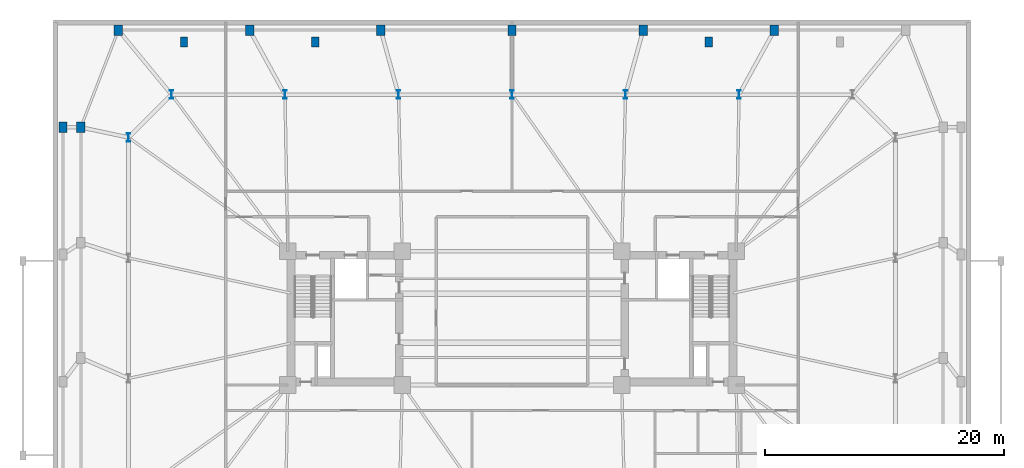
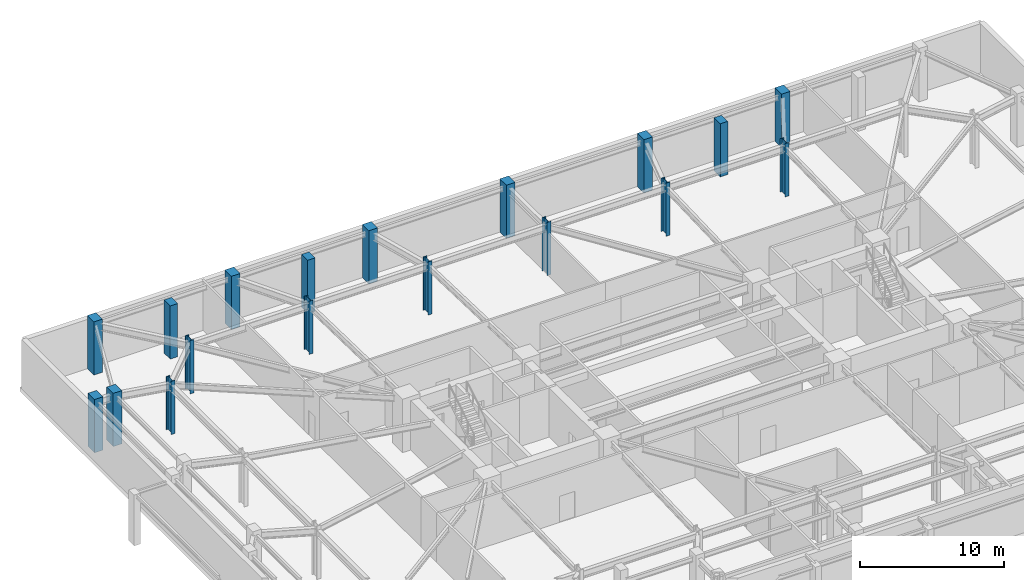
# One storey, part 3 of 14: 18 columns.
"""IFC4 building model written with IfcOpenShell, lengths in metres."""

from ifc_helpers import new_model, si_unit, direction, frame, origin, origin_2d, place, context, subcontext, project, spatial, rectangle, i_section, extrude, material, material_profile, profile_set, type_object, element, save


model = new_model("IFC4")

# Units and contexts
model_context = context("Model", 3, precision=1e-05, world=origin(), true_north=direction((0.0, 1.0)))
body_context = subcontext(model_context, "Body", "Model", "MODEL_VIEW")
ifc_project = project(units=[si_unit("LENGTHUNIT", "METRE"), si_unit("AREAUNIT", "SQUARE_METRE"), si_unit("VOLUMEUNIT", "CUBIC_METRE"), si_unit("PLANEANGLEUNIT", "RADIAN"), si_unit("MASSUNIT", "GRAM", prefix="KILO")], contexts=[model_context])

# Site, building, storey
site_placement = place(None, origin())
site = spatial("IfcSite", under=ifc_project, at=site_placement, CompositionType="ELEMENT")
building_placement = place(site_placement, origin())
building = spatial("IfcBuilding", under=site, at=building_placement, Name="Qobustan Lattice House", CompositionType="ELEMENT")
storey_placement = place(building_placement, frame((0.0, 0.0, -4.5)))
storey = spatial("IfcBuildingStorey", under=building, at=storey_placement, Name="B01", CompositionType="ELEMENT", Elevation=-4.5)

# Columns
ifc_material_1 = material(Name="Concrete C50/60", Category="concrete")
ifc_material_profile_1 = material_profile(ifc_material_1, rectangle(XDim=0.60009765625, YDim=0.85009765625, at=origin_2d()), Name="RC600x850")
ifc_profile_set_1 = profile_set([ifc_material_profile_1], Name="Concrete C50/60")
column_type_1 = type_object("IfcColumnType", Name="COL-PIL-600x850", PredefinedType="PILASTER", material=ifc_profile_set_1)
for number, where, z_axis, x_axis, name in (
    (1, (-27.5, 23.14990234375, 0.0), (0.0, 0.0, 1.0), (1.0, 0.0, 0.0), "B01 colonnade pilaster N1"),
    (2, (-16.5, 23.14990234375, 0.0), (0.0, 0.0, 1.0), (1.0, 0.0, 0.0), "B01 colonnade pilaster N2"),
    (3, (16.5, 23.14990234375, 0.0), (0.0, 0.0, 1.0), (1.0, 0.0, 0.0), "B01 colonnade pilaster N3"),
):
    element("IfcColumn", number, at=place(storey_placement, frame(where, z_axis=z_axis, x_axis=x_axis)), inside=storey, type_object=column_type_1, Name=name, PredefinedType="PILASTER", context=body_context, shape_type="SweptSolid", body=[
        extrude(rectangle(XDim=0.60009765625, YDim=0.85009765625, at=origin_2d()), origin(), (0.0, 0.0, 1.0), 4.5),
    ])
ifc_material_2 = material(Name="Concrete C50/60", Category="concrete")
ifc_material_profile_2 = material_profile(ifc_material_2, rectangle(XDim=0.699951171875, YDim=0.89990234375, at=origin_2d()), Name="RC700x900")
ifc_profile_set_2 = profile_set([ifc_material_profile_2], Name="Concrete C50/60")
column_type_2 = type_object("IfcColumnType", Name="COL-RC-700x900", PredefinedType="COLUMN", material=ifc_profile_set_2)
for number, where, z_axis, x_axis, name in (
    (4, (-33.0, 24.14990234375, 0.0), (0.0, 0.0, 1.0), (1.0, 0.0, 0.0), "B01 podium column PN1"),
    (5, (-22.0, 24.14990234375, 0.0), (0.0, 0.0, 1.0), (1.0, 0.0, 0.0), "B01 podium column PN2"),
    (6, (-11.0, 24.14990234375, 0.0), (0.0, 0.0, 1.0), (1.0, 0.0, 0.0), "B01 podium column PN3"),
    (7, (0.0, 24.14990234375, 0.0), (0.0, 0.0, 1.0), (1.0, 0.0, 0.0), "B01 podium column PN4"),
    (8, (11.0, 24.14990234375, 0.0), (0.0, 0.0, 1.0), (1.0, 0.0, 0.0), "B01 podium column PN5"),
    (9, (22.0, 24.14990234375, 0.0), (0.0, 0.0, 1.0), (1.0, 0.0, 0.0), "B01 podium column PN6"),
    (10, (-36.14990234375, 16.0, 0.0), (0.0, 0.0, 1.0), (1.0, 0.0, 0.0), "B01 podium column PW4"),
    (11, (-37.64990234375, 16.0, 0.0), (0.0, 0.0, 1.0), (1.0, 0.0, 0.0), "B01 lower podium perimeter column PWL4"),
):
    element("IfcColumn", number, at=place(storey_placement, frame(where, z_axis=z_axis, x_axis=x_axis)), inside=storey, type_object=column_type_2, Name=name, PredefinedType="COLUMN", context=body_context, shape_type="SweptSolid", body=[
        extrude(rectangle(XDim=0.699951171875, YDim=0.89990234375, at=origin_2d()), origin(), (0.0, 0.0, 1.0), 4.5),
    ])
ifc_material_3 = material(Name="Steel S460", Category="steel")
ifc_material_profile_3 = material_profile(ifc_material_3, i_section(OverallWidth=0.303955078125, OverallDepth=0.716064453125, WebThickness=0.02099609375, FlangeThickness=0.0400390625, FilletRadius=0.027099609375, at=origin_2d()), Name="HEM700")
ifc_profile_set_3 = profile_set([ifc_material_profile_3], Name="Steel S460")
column_type_3 = type_object("IfcColumnType", Name="COL-ST-HEM700", PredefinedType="COLUMN", material=ifc_profile_set_3)
for number, where, z_axis, x_axis, name in (
    (12, (19.033203125, 18.75, 0.0), (0.0, 0.0, 1.0), (1.0, 0.0, 0.0), "B01 tower base column N2"),
    (13, (9.5166015625, 18.75, 0.0), (0.0, 0.0, 1.0), (1.0, 0.0, 0.0), "B01 tower base column N3"),
    (14, (0.0, 18.75, 0.0), (0.0, 0.0, 1.0), (1.0, 0.0, 0.0), "B01 tower base column N4"),
    (15, (-9.5166015625, 18.75, 0.0), (0.0, 0.0, 1.0), (1.0, 0.0, 0.0), "B01 tower base column N5"),
    (16, (-19.033203125, 18.75, 0.0), (0.0, 0.0, 1.0), (1.0, 0.0, 0.0), "B01 tower base column N6"),
    (17, (-28.550048828125, 18.75, 0.0), (0.0, 0.0, 1.0), (1.0, 0.0, 0.0), "B01 tower base column N7"),
    (18, (-32.14990234375, 15.14990234375, 0.0), (0.0, 0.0, 1.0), (1.0, 0.0, 0.0), "B01 tower base column W1"),
):
    element("IfcColumn", number, at=place(storey_placement, frame(where, z_axis=z_axis, x_axis=x_axis)), inside=storey, type_object=column_type_3, Name=name, PredefinedType="COLUMN", context=body_context, shape_type="SweptSolid", body=[
        extrude(i_section(OverallWidth=0.303955078125, OverallDepth=0.716064453125, WebThickness=0.02099609375, FlangeThickness=0.0400390625, FilletRadius=0.027099609375, at=origin_2d()), origin(), (0.0, 0.0, 1.0), 4.5),
    ])

save(model, "model.ifc")
